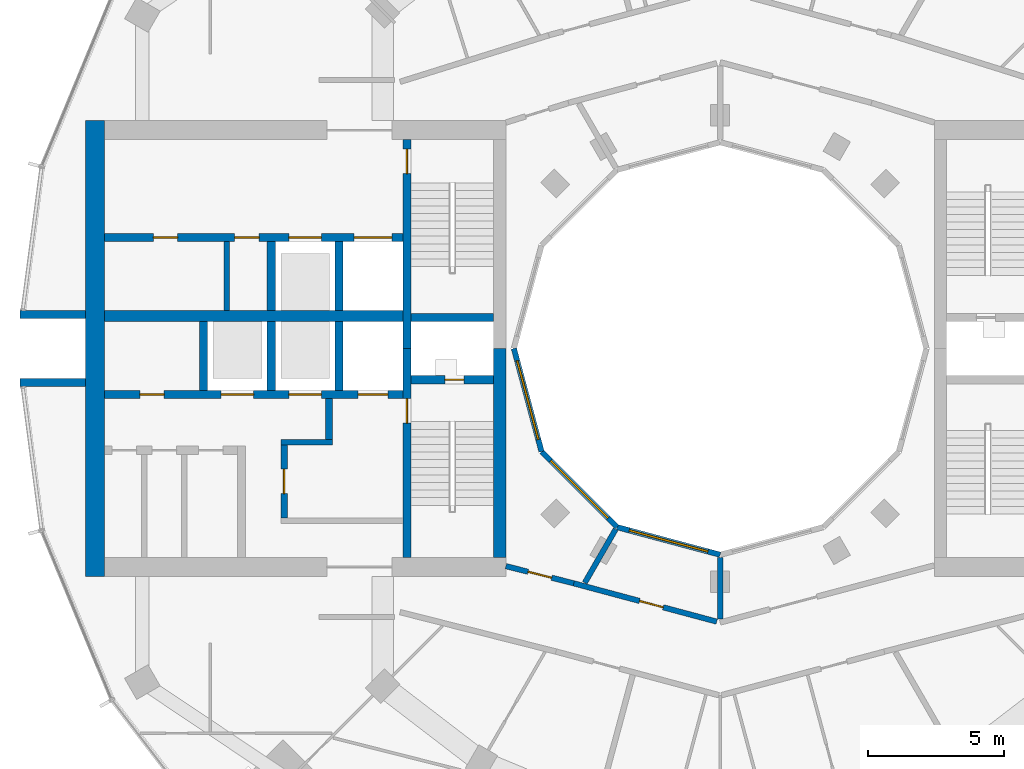
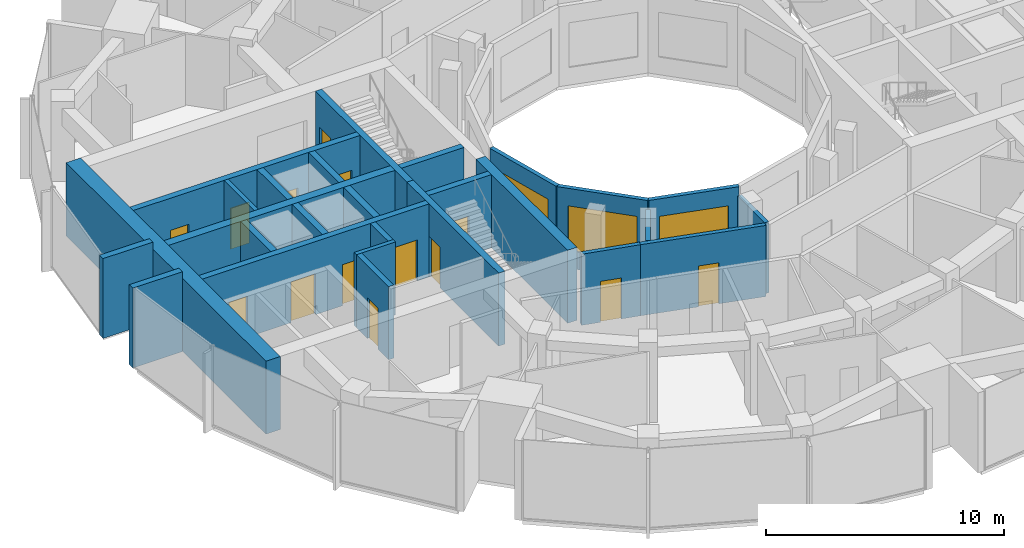
# One storey, part 9 of 15: 27 walls, 14 doors, 3 windows, 17 openings.
"""IFC4 building model written with IfcOpenShell, lengths in metres."""

from ifc_helpers import new_model, si_unit, direction, frame, frame_2d, origin, place, context, subcontext, project, spatial, rectangle, extrude, material, layer, layer_set, type_object, element, fill, save


model = new_model("IFC4")

# Units and contexts
model_context = context("Model", 3, precision=1e-05, world=origin(), true_north=direction((0.0, 1.0)))
body_context = subcontext(model_context, "Body", "Model", "MODEL_VIEW")
ifc_project = project(units=[si_unit("LENGTHUNIT", "METRE"), si_unit("AREAUNIT", "SQUARE_METRE"), si_unit("VOLUMEUNIT", "CUBIC_METRE"), si_unit("PLANEANGLEUNIT", "RADIAN"), si_unit("MASSUNIT", "GRAM", prefix="KILO")], contexts=[model_context])

# Site, building, storey
site_placement = place(None, origin())
site = spatial("IfcSite", under=ifc_project, at=site_placement, CompositionType="ELEMENT")
building_placement = place(site_placement, origin())
building = spatial("IfcBuilding", under=site, at=building_placement, Name="Torre Brocal", CompositionType="ELEMENT")
storey_placement = place(building_placement, frame((0.0, 0.0, 202.800048828125)))
storey = spatial("IfcBuildingStorey", under=building, at=storey_placement, Name="L47", CompositionType="ELEMENT", Elevation=202.800048828125)

# Walls
ifc_material_1 = material(Name="Masonry block", Category="masonry")
ifc_layer_1 = layer(ifc_material_1, 0.199951171875)
ifc_layer_set_1 = layer_set([ifc_layer_1], Name="Masonry block")
wall_type_1 = type_object("IfcWallType", Name="CORE PARTITION 200 UNDER 350 SLAB", PredefinedType="PARTITIONING", material=ifc_layer_set_1)
wall_1_placement = place(storey_placement, frame((61.800048828125, 78.949951171875, 0.0), z_axis=(0.0, 0.0, 1.0), x_axis=(0.0, -1.0, 0.0)))
element("IfcWall", 1, at=wall_1_placement, inside=storey, type_object=wall_type_1, Name="Wall CP200-S350", PredefinedType="PARTITIONING", context=body_context, shape_type="SweptSolid", body=[
    extrude(rectangle(XDim=2.550048828125, YDim=0.199951171875, at=frame_2d((1.27490234375, 0.0))), origin(), (0.0, 0.0, 1.0), 3.75),
])
ifc_material_2 = material(Name="Concrete C70", Category="concrete")
ifc_layer_2 = layer(ifc_material_2, 0.199951171875)
ifc_layer_set_2 = layer_set([ifc_layer_2], Name="Concrete C70")
wall_type_2 = type_object("IfcWallType", Name="CORE WALL 200 C70 UNDER 350 SLAB", PredefinedType="SHEAR", material=ifc_layer_set_2)
wall_2_placement = place(storey_placement, frame((65.699951171875, 71.550048828125, 0.0), z_axis=(0.0, 0.0, 1.0), x_axis=(-1.0, 0.0, 0.0)))
element("IfcWall", 2, at=wall_2_placement, inside=storey, type_object=wall_type_2, Name="Wall CW200-70-S350", PredefinedType="SHEAR", context=body_context, shape_type="SweptSolid", body=[
    extrude(rectangle(XDim=1.89990234375, YDim=0.199951171875, at=frame_2d((0.949951171875, 0.0))), origin(), (0.0, 0.0, 1.0), 3.75),
])

# Wall, opening, door
ifc_material_3 = material(Name="Concrete C70", Category="concrete")
ifc_layer_3 = layer(ifc_material_3, 0.25)
ifc_layer_set_3 = layer_set([ifc_layer_3], Name="Concrete C70")
wall_type_3 = type_object("IfcWallType", Name="CORE WALL 250 C70 UNDER 350 SLAB", PredefinedType="SHEAR", material=ifc_layer_set_3)
wall_3_placement = place(storey_placement, frame((63.925048828125, 71.449951171875, 0.0), z_axis=(0.0, 0.0, 1.0), x_axis=(0.0, -1.0, 0.0)))
wall_3 = element("IfcWall", 3, at=wall_3_placement, inside=storey, type_object=wall_type_3, Name="Wall CW250-70-S350", PredefinedType="SHEAR", context=body_context, shape_type="SweptSolid", body=[
    extrude(rectangle(XDim=2.699951171875, YDim=0.25, at=frame_2d((1.35009765625, 0.0))), origin(), (0.0, 0.0, 1.0), 3.75),
])
opening_1_placement = place(wall_3_placement, frame((0.89990234375, 0.0, 0.0)))
opening_1 = element("IfcOpeningElement", 4, at=opening_1_placement, cuts=wall_3, Name="Opening W-D26", PredefinedType="OPENING", context=body_context, shape_type="SweptSolid", body=[
    extrude(rectangle(XDim=0.89990234375, YDim=2.10009765625, at=frame_2d((0.449951171875, 1.050048828125))), frame((0.0, 0.135009765625, 0.0), z_axis=(0.0, -1.0, 0.0), x_axis=(1.0, 0.0, 0.0)), (0.0, 0.0, 1.0), 0.27001953125),
])
ifc_material_4 = material(Name="Steel A653", Category="steel")
door_type_1 = type_object("IfcDoorType", Name="LOBBY DOOR FD120 900X2100", OperationType="SINGLE_SWING_RIGHT", PredefinedType="DOOR", material=ifc_material_4)
door_1_placement = place(opening_1_placement, origin())
door_1 = element("IfcDoor", 5, at=door_1_placement, inside=storey, type_object=door_type_1, Name="Door W-D26", OperationType="SINGLE_SWING_LEFT", OverallHeight=2.10009765625, OverallWidth=0.89990234375, PredefinedType="DOOR", context=body_context, shape_type="SweptSolid", body=[
    extrude(rectangle(XDim=0.89990234375, YDim=2.10009765625, at=frame_2d((0.449951171875, 1.050048828125))), frame((0.0, 0.02490234375, 0.0), z_axis=(0.0, -1.0, 0.0), x_axis=(1.0, 0.0, 0.0)), (0.0, 0.0, 1.0), 0.050048828125),
])
fill(opening_1, door_1)

# Wall
wall_4_placement = place(storey_placement, frame((65.574951171875, 73.14990234375, 0.0), z_axis=(0.0, 0.0, 1.0), x_axis=(0.0, -1.0, 0.0)))
element("IfcWall", 6, at=wall_4_placement, inside=storey, type_object=wall_type_3, Name="Wall CW250-70-S350", PredefinedType="SHEAR", context=body_context, shape_type="SweptSolid", body=[
    extrude(rectangle(XDim=1.5, YDim=0.25, at=frame_2d((0.75, 0.0))), origin(), (0.0, 0.0, 1.0), 3.75),
])

# Wall, opening, door
ifc_material_5 = material(Name="Concrete C70", Category="concrete")
ifc_layer_4 = layer(ifc_material_5, 0.300048828125)
ifc_layer_set_4 = layer_set([ifc_layer_4], Name="Concrete C70")
wall_type_4 = type_object("IfcWallType", Name="CORE WALL 300 C70 UNDER 350 SLAB", PredefinedType="SHEAR", material=ifc_layer_set_4)
wall_5_placement = place(storey_placement, frame((68.449951171875, 75.0, 0.0), z_axis=(0.0, 0.0, 1.0), x_axis=(0.0, -1.0, 0.0)))
wall_5 = element("IfcWall", 7, at=wall_5_placement, inside=storey, type_object=wall_type_4, Name="Wall CW300-70-S350", PredefinedType="SHEAR", context=body_context, shape_type="SweptSolid", body=[
    extrude(rectangle(XDim=7.699951171875, YDim=0.300048828125, at=frame_2d((3.85009765625, 0.0))), origin(), (0.0, 0.0, 1.0), 3.75),
])
opening_2_placement = place(wall_5_placement, frame((1.85009765625, 0.0, 0.0)))
opening_2 = element("IfcOpeningElement", 8, at=opening_2_placement, cuts=wall_5, Name="Opening W-D02", PredefinedType="OPENING", context=body_context, shape_type="SweptSolid", body=[
    extrude(rectangle(XDim=0.89990234375, YDim=2.10009765625, at=frame_2d((0.449951171875, 1.050048828125))), frame((0.0, 0.159912109375, 0.0), z_axis=(0.0, -1.0, 0.0), x_axis=(1.0, 0.0, 0.0)), (0.0, 0.0, 1.0), 0.320068359375),
])
ifc_material_6 = material(Name="Steel A653", Category="steel")
door_type_2 = type_object("IfcDoorType", Name="STAIR DOOR FD120 900X2100", OperationType="SINGLE_SWING_RIGHT", PredefinedType="DOOR", material=ifc_material_6)
door_2_placement = place(opening_2_placement, origin())
door_2 = element("IfcDoor", 9, at=door_2_placement, inside=storey, type_object=door_type_2, Name="Door W-D02", OperationType="SINGLE_SWING_LEFT", OverallHeight=2.10009765625, OverallWidth=0.89990234375, PredefinedType="DOOR", context=body_context, shape_type="SweptSolid", body=[
    extrude(rectangle(XDim=0.89990234375, YDim=2.10009765625, at=frame_2d((0.449951171875, 1.050048828125))), frame((0.0, 0.02490234375, 0.0), z_axis=(0.0, -1.0, 0.0), x_axis=(1.0, 0.0, 0.0)), (0.0, 0.0, 1.0), 0.050048828125),
])
fill(opening_2, door_2)

wall_6_placement = place(storey_placement, frame((68.449951171875, 82.699951171875, 0.0), z_axis=(0.0, 0.0, 1.0), x_axis=(0.0, -1.0, 0.0)))
wall_6 = element("IfcWall", 10, at=wall_6_placement, inside=storey, type_object=wall_type_4, Name="Wall CW300-70-S350", PredefinedType="SHEAR", context=body_context, shape_type="SweptSolid", body=[
    extrude(rectangle(XDim=7.699951171875, YDim=0.300048828125, at=frame_2d((3.85009765625, 0.0))), origin(), (0.0, 0.0, 1.0), 3.75),
])
opening_3_placement = place(wall_6_placement, frame((0.35009765625, 0.0, 0.0)))
opening_3 = element("IfcOpeningElement", 11, at=opening_3_placement, cuts=wall_6, Name="Opening W-D03", PredefinedType="OPENING", context=body_context, shape_type="SweptSolid", body=[
    extrude(rectangle(XDim=0.89990234375, YDim=2.10009765625, at=frame_2d((0.449951171875, 1.050048828125))), frame((0.0, 0.159912109375, 0.0), z_axis=(0.0, -1.0, 0.0), x_axis=(1.0, 0.0, 0.0)), (0.0, 0.0, 1.0), 0.320068359375),
])
door_3_placement = place(opening_3_placement, origin())
door_3 = element("IfcDoor", 12, at=door_3_placement, inside=storey, type_object=door_type_2, Name="Door W-D03", OperationType="SINGLE_SWING_LEFT", OverallHeight=2.10009765625, OverallWidth=0.89990234375, PredefinedType="DOOR", context=body_context, shape_type="SweptSolid", body=[
    extrude(rectangle(XDim=0.89990234375, YDim=2.10009765625, at=frame_2d((0.449951171875, 1.050048828125))), frame((0.0, 0.02490234375, 0.0), z_axis=(0.0, -1.0, 0.0), x_axis=(1.0, 0.0, 0.0)), (0.0, 0.0, 1.0), 0.050048828125),
])
fill(opening_3, door_3)

wall_7_placement = place(storey_placement, frame((71.64990234375, 73.85009765625, 0.0), z_axis=(0.0, 0.0, 1.0), x_axis=(-1.0, 0.0, 0.0)))
wall_7 = element("IfcWall", 13, at=wall_7_placement, inside=storey, type_object=wall_type_4, Name="Wall CW300-70-S350", PredefinedType="SHEAR", context=body_context, shape_type="SweptSolid", body=[
    extrude(rectangle(XDim=3.0498046875, YDim=0.300048828125, at=frame_2d((1.52490234375, 0.0))), origin(), (0.0, 0.0, 1.0), 3.75),
])
opening_4_placement = place(wall_7_placement, frame((1.10009765625, 0.0, 0.0)))
opening_4 = element("IfcOpeningElement", 14, at=opening_4_placement, cuts=wall_7, Name="Opening W-D01", PredefinedType="OPENING", context=body_context, shape_type="SweptSolid", body=[
    extrude(rectangle(XDim=0.699951171875, YDim=2.0, at=frame_2d((0.35009765625, 1.0))), frame((0.0, 0.159912109375, 0.0), z_axis=(0.0, -1.0, 0.0), x_axis=(1.0, 0.0, 0.0)), (0.0, 0.0, 1.0), 0.320068359375),
])
ifc_material_7 = material(Name="Steel A653", Category="steel")
door_type_3 = type_object("IfcDoorType", Name="RISER DOOR FD120 700X2000", OperationType="SINGLE_SWING_LEFT", PredefinedType="DOOR", material=ifc_material_7)
door_4_placement = place(opening_4_placement, frame((0.699951171875, 0.0, 0.0), z_axis=(0.0, 0.0, 1.0), x_axis=(-1.0, 0.0, 0.0)))
door_4 = element("IfcDoor", 15, at=door_4_placement, inside=storey, type_object=door_type_3, Name="Door W-D01", OperationType="SINGLE_SWING_RIGHT", OverallHeight=2.0, OverallWidth=0.699951171875, PredefinedType="DOOR", context=body_context, shape_type="SweptSolid", body=[
    extrude(rectangle(XDim=0.699951171875, YDim=2.0, at=frame_2d((0.35009765625, 1.0))), frame((0.0, 0.02490234375, 0.0), z_axis=(0.0, -1.0, 0.0), x_axis=(1.0, 0.0, 0.0)), (0.0, 0.0, 1.0), 0.050048828125),
])
fill(opening_4, door_4)

# Wall
wall_8_placement = place(storey_placement, frame((71.64990234375, 76.14990234375, 0.0), z_axis=(0.0, 0.0, 1.0), x_axis=(-1.0, 0.0, 0.0)))
element("IfcWall", 16, at=wall_8_placement, inside=storey, type_object=wall_type_4, Name="Wall CW300-70-S350", PredefinedType="SHEAR", context=body_context, shape_type="SweptSolid", body=[
    extrude(rectangle(XDim=3.0498046875, YDim=0.300048828125, at=frame_2d((1.52490234375, 0.0))), origin(), (0.0, 0.0, 1.0), 3.75),
])

# Wall, openings, doors
wall_9_placement = place(storey_placement, frame((68.300048828125, 73.300048828125, 0.0), z_axis=(0.0, 0.0, 1.0), x_axis=(-1.0, 0.0, 0.0)))
wall_9 = element("IfcWall", 17, at=wall_9_placement, inside=storey, type_object=wall_type_4, Name="Wall CW300-70-S350", PredefinedType="SHEAR", context=body_context, shape_type="SweptSolid", body=[
    extrude(rectangle(XDim=11.0, YDim=0.300048828125, at=frame_2d((5.5, 0.0))), origin(), (0.0, 0.0, 1.0), 3.75),
])
opening_5_placement = place(wall_9_placement, frame((0.550048828125, 0.0, 0.0)))
opening_5 = element("IfcOpeningElement", 18, at=opening_5_placement, cuts=wall_9, Name="Opening LD", PredefinedType="OPENING", context=body_context, shape_type="SweptSolid", body=[
    extrude(rectangle(XDim=1.10009765625, YDim=2.10009765625, at=frame_2d((0.550048828125, 1.050048828125))), frame((0.0, 0.159912109375, 0.0), z_axis=(0.0, -1.0, 0.0), x_axis=(1.0, 0.0, 0.0)), (0.0, 0.0, 1.0), 0.320068359375),
])
opening_6_placement = place(wall_9_placement, frame((3.0, 0.0, 0.0)))
opening_6 = element("IfcOpeningElement", 19, at=opening_6_placement, cuts=wall_9, Name="Opening LD12", PredefinedType="OPENING", context=body_context, shape_type="SweptSolid", body=[
    extrude(rectangle(XDim=1.199951171875, YDim=2.10009765625, at=frame_2d((0.60009765625, 1.050048828125))), frame((0.0, 0.159912109375, 0.0), z_axis=(0.0, -1.0, 0.0), x_axis=(1.0, 0.0, 0.0)), (0.0, 0.0, 1.0), 0.320068359375),
])
opening_7_placement = place(wall_9_placement, frame((5.5, 0.0, 0.0)))
opening_7 = element("IfcOpeningElement", 20, at=opening_7_placement, cuts=wall_9, Name="Opening LD12", PredefinedType="OPENING", context=body_context, shape_type="SweptSolid", body=[
    extrude(rectangle(XDim=1.199951171875, YDim=2.10009765625, at=frame_2d((0.60009765625, 1.050048828125))), frame((0.0, 0.159912109375, 0.0), z_axis=(0.0, -1.0, 0.0), x_axis=(1.0, 0.0, 0.0)), (0.0, 0.0, 1.0), 0.320068359375),
])
opening_8_placement = place(wall_9_placement, frame((8.800048828125, 0.0, 0.0)))
opening_8 = element("IfcOpeningElement", 21, at=opening_8_placement, cuts=wall_9, Name="Opening W-D04", PredefinedType="OPENING", context=body_context, shape_type="SweptSolid", body=[
    extrude(rectangle(XDim=0.89990234375, YDim=2.10009765625, at=frame_2d((0.449951171875, 1.050048828125))), frame((0.0, 0.159912109375, 0.0), z_axis=(0.0, -1.0, 0.0), x_axis=(1.0, 0.0, 0.0)), (0.0, 0.0, 1.0), 0.320068359375),
])
ifc_material_8 = material(Name="Stainless steel AISI 316", Category="steel")
door_type_4 = type_object("IfcDoorType", Name="LIFT LANDING DOOR 1100X2100", OperationType="DOUBLE_DOOR_SLIDING", PredefinedType="DOOR", material=ifc_material_8)
door_5_placement = place(opening_5_placement, origin())
door_5 = element("IfcDoor", 22, at=door_5_placement, inside=storey, type_object=door_type_4, Name="Door LD", OperationType="DOUBLE_DOOR_SLIDING", OverallHeight=2.10009765625, OverallWidth=1.10009765625, PredefinedType="DOOR", context=body_context, shape_type="SweptSolid", body=[
    extrude(rectangle(XDim=1.10009765625, YDim=2.10009765625, at=frame_2d((0.550048828125, 1.050048828125))), frame((0.0, 0.02490234375, 0.0), z_axis=(0.0, -1.0, 0.0), x_axis=(1.0, 0.0, 0.0)), (0.0, 0.0, 1.0), 0.050048828125),
])
fill(opening_5, door_5)
ifc_material_9 = material(Name="Stainless steel AISI 316", Category="steel")
door_type_5 = type_object("IfcDoorType", Name="LIFT LANDING DOOR 1200X2100", OperationType="DOUBLE_DOOR_SLIDING", PredefinedType="DOOR", material=ifc_material_9)
door_6_placement = place(opening_6_placement, origin())
door_6 = element("IfcDoor", 23, at=door_6_placement, inside=storey, type_object=door_type_5, Name="Door LD12", OperationType="DOUBLE_DOOR_SLIDING", OverallHeight=2.10009765625, OverallWidth=1.199951171875, PredefinedType="DOOR", context=body_context, shape_type="SweptSolid", body=[
    extrude(rectangle(XDim=1.199951171875, YDim=2.10009765625, at=frame_2d((0.60009765625, 1.050048828125))), frame((0.0, 0.02490234375, 0.0), z_axis=(0.0, -1.0, 0.0), x_axis=(1.0, 0.0, 0.0)), (0.0, 0.0, 1.0), 0.050048828125),
])
fill(opening_6, door_6)
door_7_placement = place(opening_7_placement, origin())
door_7 = element("IfcDoor", 24, at=door_7_placement, inside=storey, type_object=door_type_5, Name="Door LD12", OperationType="DOUBLE_DOOR_SLIDING", OverallHeight=2.10009765625, OverallWidth=1.199951171875, PredefinedType="DOOR", context=body_context, shape_type="SweptSolid", body=[
    extrude(rectangle(XDim=1.199951171875, YDim=2.10009765625, at=frame_2d((0.60009765625, 1.050048828125))), frame((0.0, 0.02490234375, 0.0), z_axis=(0.0, -1.0, 0.0), x_axis=(1.0, 0.0, 0.0)), (0.0, 0.0, 1.0), 0.050048828125),
])
fill(opening_7, door_7)
ifc_material_10 = material(Name="Steel A653", Category="steel")
door_type_6 = type_object("IfcDoorType", Name="ROOM DOOR FD30S 900X2100", OperationType="SINGLE_SWING_LEFT", PredefinedType="DOOR", material=ifc_material_10)
door_8_placement = place(opening_8_placement, frame((0.89990234375, 0.0, 0.0), z_axis=(0.0, 0.0, 1.0), x_axis=(-1.0, 0.0, 0.0)))
door_8 = element("IfcDoor", 25, at=door_8_placement, inside=storey, type_object=door_type_6, Name="Door W-D04", OperationType="SINGLE_SWING_LEFT", OverallHeight=2.10009765625, OverallWidth=0.89990234375, PredefinedType="DOOR", context=body_context, shape_type="SweptSolid", body=[
    extrude(rectangle(XDim=0.89990234375, YDim=2.10009765625, at=frame_2d((0.449951171875, 1.050048828125))), frame((0.0, 0.02490234375, 0.0), z_axis=(0.0, -1.0, 0.0), x_axis=(1.0, 0.0, 0.0)), (0.0, 0.0, 1.0), 0.050048828125),
])
fill(opening_8, door_8)

wall_10_placement = place(storey_placement, frame((68.300048828125, 79.10009765625, 0.0), z_axis=(0.0, 0.0, 1.0), x_axis=(-1.0, 0.0, 0.0)))
wall_10 = element("IfcWall", 26, at=wall_10_placement, inside=storey, type_object=wall_type_4, Name="Wall CW300-70-S350", PredefinedType="SHEAR", context=body_context, shape_type="SweptSolid", body=[
    extrude(rectangle(XDim=11.0, YDim=0.300048828125, at=frame_2d((5.5, 0.0))), origin(), (0.0, 0.0, 1.0), 3.75),
])
opening_9_placement = place(wall_10_placement, frame((0.39990234375, 0.0, 0.0)))
opening_9 = element("IfcOpeningElement", 27, at=opening_9_placement, cuts=wall_10, Name="Opening LD14", PredefinedType="OPENING", context=body_context, shape_type="SweptSolid", body=[
    extrude(rectangle(XDim=1.39990234375, YDim=2.10009765625, at=frame_2d((0.699951171875, 1.050048828125))), frame((0.0, 0.159912109375, 0.0), z_axis=(0.0, -1.0, 0.0), x_axis=(1.0, 0.0, 0.0)), (0.0, 0.0, 1.0), 0.320068359375),
])
opening_10_placement = place(wall_10_placement, frame((3.0, 0.0, 0.0)))
opening_10 = element("IfcOpeningElement", 28, at=opening_10_placement, cuts=wall_10, Name="Opening LD12", PredefinedType="OPENING", context=body_context, shape_type="SweptSolid", body=[
    extrude(rectangle(XDim=1.199951171875, YDim=2.10009765625, at=frame_2d((0.60009765625, 1.050048828125))), frame((0.0, 0.159912109375, 0.0), z_axis=(0.0, -1.0, 0.0), x_axis=(1.0, 0.0, 0.0)), (0.0, 0.0, 1.0), 0.320068359375),
])
opening_11_placement = place(wall_10_placement, frame((5.300048828125, 0.0, 0.0)))
opening_11 = element("IfcOpeningElement", 29, at=opening_11_placement, cuts=wall_10, Name="Opening W-D05", PredefinedType="OPENING", context=body_context, shape_type="SweptSolid", body=[
    extrude(rectangle(XDim=0.89990234375, YDim=2.10009765625, at=frame_2d((0.449951171875, 1.050048828125))), frame((0.0, 0.159912109375, 0.0), z_axis=(0.0, -1.0, 0.0), x_axis=(1.0, 0.0, 0.0)), (0.0, 0.0, 1.0), 0.320068359375),
])
opening_12_placement = place(wall_10_placement, frame((8.300048828125, 0.0, 0.0)))
opening_12 = element("IfcOpeningElement", 30, at=opening_12_placement, cuts=wall_10, Name="Opening W-D06", PredefinedType="OPENING", context=body_context, shape_type="SweptSolid", body=[
    extrude(rectangle(XDim=0.89990234375, YDim=2.10009765625, at=frame_2d((0.449951171875, 1.050048828125))), frame((0.0, 0.159912109375, 0.0), z_axis=(0.0, -1.0, 0.0), x_axis=(1.0, 0.0, 0.0)), (0.0, 0.0, 1.0), 0.320068359375),
])
door_9_placement = place(opening_10_placement, origin())
door_9 = element("IfcDoor", 31, at=door_9_placement, inside=storey, type_object=door_type_5, Name="Door LD12", OperationType="DOUBLE_DOOR_SLIDING", OverallHeight=2.10009765625, OverallWidth=1.199951171875, PredefinedType="DOOR", context=body_context, shape_type="SweptSolid", body=[
    extrude(rectangle(XDim=1.199951171875, YDim=2.10009765625, at=frame_2d((0.60009765625, 1.050048828125))), frame((0.0, 0.02490234375, 0.0), z_axis=(0.0, -1.0, 0.0), x_axis=(1.0, 0.0, 0.0)), (0.0, 0.0, 1.0), 0.050048828125),
])
fill(opening_10, door_9)
ifc_material_11 = material(Name="Stainless steel AISI 316", Category="steel")
door_type_7 = type_object("IfcDoorType", Name="LIFT LANDING DOOR 1400X2100", OperationType="DOUBLE_DOOR_SLIDING", PredefinedType="DOOR", material=ifc_material_11)
door_10_placement = place(opening_9_placement, origin())
door_10 = element("IfcDoor", 32, at=door_10_placement, inside=storey, type_object=door_type_7, Name="Door LD14", OperationType="DOUBLE_DOOR_SLIDING", OverallHeight=2.10009765625, OverallWidth=1.39990234375, PredefinedType="DOOR", context=body_context, shape_type="SweptSolid", body=[
    extrude(rectangle(XDim=1.39990234375, YDim=2.10009765625, at=frame_2d((0.699951171875, 1.050048828125))), frame((0.0, 0.02490234375, 0.0), z_axis=(0.0, -1.0, 0.0), x_axis=(1.0, 0.0, 0.0)), (0.0, 0.0, 1.0), 0.050048828125),
])
fill(opening_9, door_10)
door_11_placement = place(opening_11_placement, origin())
door_11 = element("IfcDoor", 33, at=door_11_placement, inside=storey, type_object=door_type_6, Name="Door W-D05", OperationType="SINGLE_SWING_RIGHT", OverallHeight=2.10009765625, OverallWidth=0.89990234375, PredefinedType="DOOR", context=body_context, shape_type="SweptSolid", body=[
    extrude(rectangle(XDim=0.89990234375, YDim=2.10009765625, at=frame_2d((0.449951171875, 1.050048828125))), frame((0.0, 0.02490234375, 0.0), z_axis=(0.0, -1.0, 0.0), x_axis=(1.0, 0.0, 0.0)), (0.0, 0.0, 1.0), 0.050048828125),
])
fill(opening_11, door_11)
door_12_placement = place(opening_12_placement, origin())
door_12 = element("IfcDoor", 34, at=door_12_placement, inside=storey, type_object=door_type_6, Name="Door W-D06", OperationType="SINGLE_SWING_RIGHT", OverallHeight=2.10009765625, OverallWidth=0.89990234375, PredefinedType="DOOR", context=body_context, shape_type="SweptSolid", body=[
    extrude(rectangle(XDim=0.89990234375, YDim=2.10009765625, at=frame_2d((0.449951171875, 1.050048828125))), frame((0.0, 0.02490234375, 0.0), z_axis=(0.0, -1.0, 0.0), x_axis=(1.0, 0.0, 0.0)), (0.0, 0.0, 1.0), 0.050048828125),
])
fill(opening_12, door_12)

# Walls
for number, where, z_axis, x_axis, name in (
    (35, (65.949951171875, 76.0, 0.0), (0.0, 0.0, 1.0), (0.0, -1.0, 0.0), "Wall CW300-70-S350"),
    (36, (63.449951171875, 76.0, 0.0), (0.0, 0.0, 1.0), (0.0, -1.0, 0.0), "Wall CW300-70-S350"),
    (37, (60.949951171875, 76.0, 0.0), (0.0, 0.0, 1.0), (0.0, -1.0, 0.0), "Wall CW300-70-S350"),
    (38, (65.949951171875, 78.949951171875, 0.0), (0.0, 0.0, 1.0), (0.0, -1.0, 0.0), "Wall CW300-70-S350"),
    (39, (63.449951171875, 78.949951171875, 0.0), (0.0, 0.0, 1.0), (0.0, -1.0, 0.0), "Wall CW300-70-S350"),
):
    element("IfcWall", number, at=place(storey_placement, frame(where, z_axis=z_axis, x_axis=x_axis)), inside=storey, type_object=wall_type_4, Name=name, PredefinedType="SHEAR", context=body_context, shape_type="SweptSolid", body=[
        extrude(rectangle(XDim=2.550048828125, YDim=0.300048828125, at=frame_2d((1.27490234375, 0.0))), origin(), (0.0, 0.0, 1.0), 3.75),
    ])
ifc_material_12 = material(Name="Concrete C70", Category="concrete")
ifc_layer_5 = layer(ifc_material_12, 0.39990234375)
ifc_layer_set_5 = layer_set([ifc_layer_5], Name="Concrete C70")
wall_type_5 = type_object("IfcWallType", Name="CORE WALL 400 C70 UNDER 350 SLAB", PredefinedType="SHEAR", material=ifc_layer_set_5)
wall_11_placement = place(storey_placement, frame((68.300048828125, 76.199951171875, 0.0), z_axis=(0.0, 0.0, 1.0), x_axis=(-1.0, 0.0, 0.0)))
element("IfcWall", 40, at=wall_11_placement, inside=storey, type_object=wall_type_5, Name="Wall CW400-70-S350", PredefinedType="SHEAR", context=body_context, shape_type="SweptSolid", body=[
    extrude(rectangle(XDim=11.0, YDim=0.39990234375, at=frame_2d((5.5, 0.0))), origin(), (0.0, 0.0, 1.0), 3.75),
])
ifc_material_13 = material(Name="Concrete C70", Category="concrete")
ifc_layer_6 = layer(ifc_material_13, 0.449951171875)
ifc_layer_set_6 = layer_set([ifc_layer_6], Name="Concrete C70")
wall_type_6 = type_object("IfcWallType", Name="CORE WALL 450 C70 UNDER 350 SLAB", PredefinedType="SHEAR", material=ifc_layer_set_6)
wall_12_placement = place(storey_placement, frame((71.875, 75.0, 0.0), z_axis=(0.0, 0.0, 1.0), x_axis=(0.0, -1.0, 0.0)))
element("IfcWall", 41, at=wall_12_placement, inside=storey, type_object=wall_type_6, Name="Wall CW450-70-S350", PredefinedType="SHEAR", context=body_context, shape_type="SweptSolid", body=[
    extrude(rectangle(XDim=7.699951171875, YDim=0.449951171875, at=frame_2d((3.85009765625, 0.0))), origin(), (0.0, 0.0, 1.0), 3.75),
])
ifc_material_14 = material(Name="Concrete C70", Category="concrete")
ifc_layer_7 = layer(ifc_material_14, 0.699951171875)
ifc_layer_set_7 = layer_set([ifc_layer_7], Name="Concrete C70")
wall_type_7 = type_object("IfcWallType", Name="CORE WALL 700 C70 UNDER 350 SLAB", PredefinedType="SHEAR", material=ifc_layer_set_7)
wall_13_placement = place(storey_placement, frame((56.949951171875, 83.39990234375, 0.0), z_axis=(0.0, 0.0, 1.0), x_axis=(0.0, -1.0, 0.0)))
element("IfcWall", 42, at=wall_13_placement, inside=storey, type_object=wall_type_7, Name="Wall CW700-70-S350", PredefinedType="SHEAR", context=body_context, shape_type="SweptSolid", body=[
    extrude(rectangle(XDim=16.7998046875, YDim=0.699951171875, at=frame_2d((8.39990234375, 0.0))), origin(), (0.0, 0.0, 1.0), 3.75),
])
ifc_material_15 = material(Name="Concrete C70", Category="concrete")
ifc_layer_8 = layer(ifc_material_15, 0.300048828125)
ifc_layer_set_8 = layer_set([ifc_layer_8], Name="Concrete C70")
wall_type_8 = type_object("IfcWallType", Name="NOTCH RETURN WALL 300 C70", PredefinedType="NOTDEFINED", material=ifc_layer_set_8)
for number, where, z_axis, x_axis, name in (
    (43, (56.60009765625, 76.25, 0.0), (0.0, 0.0, 1.0), (-1.0, 0.0, 0.0), "NOTCH RETURN WALL"),
    (44, (56.60009765625, 73.75, 0.0), (0.0, 0.0, 1.0), (-1.0, 0.0, 0.0), "NOTCH RETURN WALL"),
):
    element("IfcWall", number, at=place(storey_placement, frame(where, z_axis=z_axis, x_axis=x_axis)), inside=storey, type_object=wall_type_8, Name=name, PredefinedType="NOTDEFINED", context=body_context, shape_type="SweptSolid", body=[
        extrude(rectangle(XDim=2.415771484375, YDim=0.300048828125, at=frame_2d((1.2080078125, 0.0))), origin(), (0.0, 0.0, 1.0), 4.099853515625),
    ])

# Wall, opening, door
ifc_material_16 = material(Name="Gypsum board", Category="Gypsum")
ifc_layer_9 = layer(ifc_material_16, 0.199951171875)
ifc_layer_set_9 = layer_set([ifc_layer_9], Name="Gypsum board")
wall_type_9 = type_object("IfcWallType", Name="PARTITION 200 EI60", PredefinedType="PARTITIONING", material=ifc_layer_set_9)
wall_14_placement = place(storey_placement, frame((72.10009765625, 66.97509765625, 0.0), z_axis=(0.0, 0.0, 1.0), x_axis=(0.969471314457, -0.245204752086, 0.0)))
wall_14 = element("IfcWall", 45, at=wall_14_placement, inside=storey, type_object=wall_type_9, Name="CORRIDOR WALL", PredefinedType="PARTITIONING", context=body_context, shape_type="SweptSolid", body=[
    extrude(rectangle(XDim=2.581787109375, YDim=0.199951171875, at=frame_2d((1.291015625, 0.0))), origin(), (0.0, 0.0, 1.0), 3.64990234375),
])
opening_13_placement = place(wall_14_placement, frame((0.8408203125, 0.0, 0.0)))
opening_13 = element("IfcOpeningElement", 46, at=opening_13_placement, cuts=wall_14, Name="Opening R04-D39", PredefinedType="OPENING", context=body_context, shape_type="SweptSolid", body=[
    extrude(rectangle(XDim=0.89990234375, YDim=2.10009765625, at=frame_2d((0.449951171875, 1.050048828125))), frame((0.0, 0.10986328125, 0.0), z_axis=(0.0, -1.0, 0.0), x_axis=(1.0, 0.0, 0.0)), (0.0, 0.0, 1.0), 0.219970703125),
])
ifc_material_17 = material(Name="Timber", Category="wood")
door_type_8 = type_object("IfcDoorType", Name="ROOM DOOR 900X2100", OperationType="SINGLE_SWING_LEFT", PredefinedType="DOOR", material=ifc_material_17)
door_13_placement = place(opening_13_placement, origin())
door_13 = element("IfcDoor", 47, at=door_13_placement, inside=storey, type_object=door_type_8, Name="R04-D39", OperationType="SINGLE_SWING_LEFT", OverallHeight=2.10009765625, OverallWidth=0.89990234375, PredefinedType="DOOR", context=body_context, shape_type="SweptSolid", body=[
    extrude(rectangle(XDim=0.89990234375, YDim=2.10009765625, at=frame_2d((0.449951171875, 1.050048828125))), frame((0.0, 0.02490234375, 0.0), z_axis=(0.0, -1.0, 0.0), x_axis=(1.0, 0.0, 0.0)), (0.0, 0.0, 1.0), 0.050048828125),
])
fill(opening_13, door_13)

wall_15_placement = place(storey_placement, frame((74.60302734375, 66.342041015625, 0.0), z_axis=(0.0, 0.0, 1.0), x_axis=(0.965920893652, -0.258837453254, 0.0)))
wall_15 = element("IfcWall", 48, at=wall_15_placement, inside=storey, type_object=wall_type_9, Name="CORRIDOR WALL", PredefinedType="PARTITIONING", context=body_context, shape_type="SweptSolid", body=[
    extrude(rectangle(XDim=5.45751953125, YDim=0.199951171875, at=frame_2d((2.728759765625, 0.0))), origin(), (0.0, 0.0, 1.0), 3.64990234375),
])
opening_14_placement = place(wall_15_placement, frame((2.512451171875, 0.0, 0.0)))
opening_14 = element("IfcOpeningElement", 49, at=opening_14_placement, cuts=wall_15, Name="Opening R04-D38", PredefinedType="OPENING", context=body_context, shape_type="SweptSolid", body=[
    extrude(rectangle(XDim=0.89990234375, YDim=2.10009765625, at=frame_2d((0.449951171875, 1.050048828125))), frame((0.0, 0.10986328125, 0.0), z_axis=(0.0, -1.0, 0.0), x_axis=(1.0, 0.0, 0.0)), (0.0, 0.0, 1.0), 0.219970703125),
])
door_14_placement = place(opening_14_placement, origin())
door_14 = element("IfcDoor", 50, at=door_14_placement, inside=storey, type_object=door_type_8, Name="R04-D38", OperationType="SINGLE_SWING_LEFT", OverallHeight=2.10009765625, OverallWidth=0.89990234375, PredefinedType="DOOR", context=body_context, shape_type="SweptSolid", body=[
    extrude(rectangle(XDim=0.89990234375, YDim=2.10009765625, at=frame_2d((0.449951171875, 1.050048828125))), frame((0.0, 0.02490234375, 0.0), z_axis=(0.0, -1.0, 0.0), x_axis=(1.0, 0.0, 0.0)), (0.0, 0.0, 1.0), 0.050048828125),
])
fill(opening_14, door_14)

# Walls
wall_16_placement = place(storey_placement, frame((75.01025390625, 66.3642578125, 0.0), z_axis=(0.0, 0.0, 1.0), x_axis=(0.500097042406, 0.865969369075, 0.0)))
element("IfcWall", 51, at=wall_16_placement, inside=storey, type_object=wall_type_9, Name="PARTY PARTITION", PredefinedType="PARTITIONING", context=body_context, shape_type="SweptSolid", body=[
    extrude(rectangle(XDim=2.275390625, YDim=0.199951171875, at=frame_2d((1.1376953125, 0.0))), origin(), (0.0, 0.0, 1.0), 3.64990234375),
])
wall_17_placement = place(storey_placement, frame((80.0, 65.027099609375, 0.0), z_axis=(0.0, 0.0, 1.0), x_axis=(0.0, 1.0, 0.0)))
element("IfcWall", 52, at=wall_17_placement, inside=storey, type_object=wall_type_9, Name="PARTY PARTITION", PredefinedType="PARTITIONING", context=body_context, shape_type="SweptSolid", body=[
    extrude(rectangle(XDim=2.27294921875, YDim=0.199951171875, at=frame_2d((1.136474609375, 0.0))), origin(), (0.0, 0.0, 1.0), 3.64990234375),
])

# Wall, opening, window
ifc_material_18 = material(Name="Concrete C40", Category="concrete")
ifc_layer_10 = layer(ifc_material_18, 0.199951171875)
ifc_layer_set_10 = layer_set([ifc_layer_10], Name="Concrete C40")
wall_type_10 = type_object("IfcWallType", Name="WELL FACADE WALL 200", PredefinedType="NOTDEFINED", material=ifc_layer_set_10)
wall_18_placement = place(storey_placement, frame((72.396484375, 75.0, 0.0), z_axis=(0.0, 0.0, 1.0), x_axis=(0.258789828301, -0.965933654434, 0.0)))
wall_18 = element("IfcWall", 53, at=wall_18_placement, inside=storey, type_object=wall_type_10, Name="WELL FACADE WALL", PredefinedType="NOTDEFINED", context=body_context, shape_type="SweptSolid", body=[
    extrude(rectangle(XDim=3.935791015625, YDim=0.199951171875, at=frame_2d((1.9677734375, 0.0))), origin(), (0.0, 0.0, 1.0), 4.099853515625),
])
opening_15_placement = place(wall_18_placement, frame((0.468017578125, 0.0, 0.89990234375)))
opening_15 = element("IfcOpeningElement", 54, at=opening_15_placement, cuts=wall_18, Name="Opening W1", PredefinedType="OPENING", context=body_context, shape_type="SweptSolid", body=[
    extrude(rectangle(XDim=3.0, YDim=2.300048828125, at=frame_2d((1.5, 1.14990234375))), frame((0.0, 0.10986328125, 0.0), z_axis=(0.0, -1.0, 0.0), x_axis=(1.0, 0.0, 0.0)), (0.0, 0.0, 1.0), 0.219970703125),
])
ifc_material_19 = material(Name="Aluminium and glass", Category="aluminium")
window_type = type_object("IfcWindowType", Name="WELL WINDOW 3000X2300", PartitioningType="SINGLE_PANEL", PredefinedType="WINDOW", material=ifc_material_19)
window_1_placement = place(opening_15_placement, origin())
window_1 = element("IfcWindow", 55, at=window_1_placement, inside=storey, type_object=window_type, Name="WELL WINDOW 3000X2300", OverallHeight=2.300048828125, OverallWidth=3.0, PartitioningType="SINGLE_PANEL", PredefinedType="WINDOW", context=body_context, shape_type="SweptSolid", body=[
    extrude(rectangle(XDim=3.0, YDim=2.300048828125, at=frame_2d((1.5, 1.14990234375))), frame((0.0, 0.030029296875, 0.0), z_axis=(0.0, -1.0, 0.0), x_axis=(1.0, 0.0, 0.0)), (0.0, 0.0, 1.0), 0.06005859375),
])
fill(opening_15, window_1)

wall_19_placement = place(storey_placement, frame((73.4150390625, 71.1982421875, 0.0), z_axis=(0.0, 0.0, 1.0), x_axis=(0.707106781187, -0.707106781187, 0.0)))
wall_19 = element("IfcWall", 56, at=wall_19_placement, inside=storey, type_object=wall_type_10, Name="WELL FACADE WALL", PredefinedType="NOTDEFINED", context=body_context, shape_type="SweptSolid", body=[
    extrude(rectangle(XDim=3.93603515625, YDim=0.199951171875, at=frame_2d((1.968017578125, 0.0))), origin(), (0.0, 0.0, 1.0), 4.099853515625),
])
opening_16_placement = place(wall_19_placement, frame((0.468017578125, 0.0, 0.89990234375)))
opening_16 = element("IfcOpeningElement", 57, at=opening_16_placement, cuts=wall_19, Name="Opening W1", PredefinedType="OPENING", context=body_context, shape_type="SweptSolid", body=[
    extrude(rectangle(XDim=3.0, YDim=2.300048828125, at=frame_2d((1.5, 1.14990234375))), frame((0.0, 0.10986328125, 0.0), z_axis=(0.0, -1.0, 0.0), x_axis=(1.0, 0.0, 0.0)), (0.0, 0.0, 1.0), 0.219970703125),
])
window_2_placement = place(opening_16_placement, origin())
window_2 = element("IfcWindow", 58, at=window_2_placement, inside=storey, type_object=window_type, Name="WELL WINDOW 3000X2300", OverallHeight=2.300048828125, OverallWidth=3.0, PartitioningType="SINGLE_PANEL", PredefinedType="WINDOW", context=body_context, shape_type="SweptSolid", body=[
    extrude(rectangle(XDim=3.0, YDim=2.300048828125, at=frame_2d((1.5, 1.14990234375))), frame((0.0, 0.030029296875, 0.0), z_axis=(0.0, -1.0, 0.0), x_axis=(1.0, 0.0, 0.0)), (0.0, 0.0, 1.0), 0.06005859375),
])
fill(opening_16, window_2)

wall_20_placement = place(storey_placement, frame((76.1982421875, 68.4150390625, 0.0), z_axis=(0.0, 0.0, 1.0), x_axis=(0.965933654434, -0.258789828301, 0.0)))
wall_20 = element("IfcWall", 59, at=wall_20_placement, inside=storey, type_object=wall_type_10, Name="WELL FACADE WALL", PredefinedType="NOTDEFINED", context=body_context, shape_type="SweptSolid", body=[
    extrude(rectangle(XDim=3.935791015625, YDim=0.199951171875, at=frame_2d((1.9677734375, 0.0))), origin(), (0.0, 0.0, 1.0), 4.099853515625),
])
opening_17_placement = place(wall_20_placement, frame((0.468017578125, 0.0, 0.89990234375)))
opening_17 = element("IfcOpeningElement", 60, at=opening_17_placement, cuts=wall_20, Name="Opening W1", PredefinedType="OPENING", context=body_context, shape_type="SweptSolid", body=[
    extrude(rectangle(XDim=3.0, YDim=2.300048828125, at=frame_2d((1.5, 1.14990234375))), frame((0.0, 0.10986328125, 0.0), z_axis=(0.0, -1.0, 0.0), x_axis=(1.0, 0.0, 0.0)), (0.0, 0.0, 1.0), 0.219970703125),
])
window_3_placement = place(opening_17_placement, origin())
window_3 = element("IfcWindow", 61, at=window_3_placement, inside=storey, type_object=window_type, Name="WELL WINDOW 3000X2300", OverallHeight=2.300048828125, OverallWidth=3.0, PartitioningType="SINGLE_PANEL", PredefinedType="WINDOW", context=body_context, shape_type="SweptSolid", body=[
    extrude(rectangle(XDim=3.0, YDim=2.300048828125, at=frame_2d((1.5, 1.14990234375))), frame((0.0, 0.030029296875, 0.0), z_axis=(0.0, -1.0, 0.0), x_axis=(1.0, 0.0, 0.0)), (0.0, 0.0, 1.0), 0.06005859375),
])
fill(opening_17, window_3)

save(model, "model.ifc")
